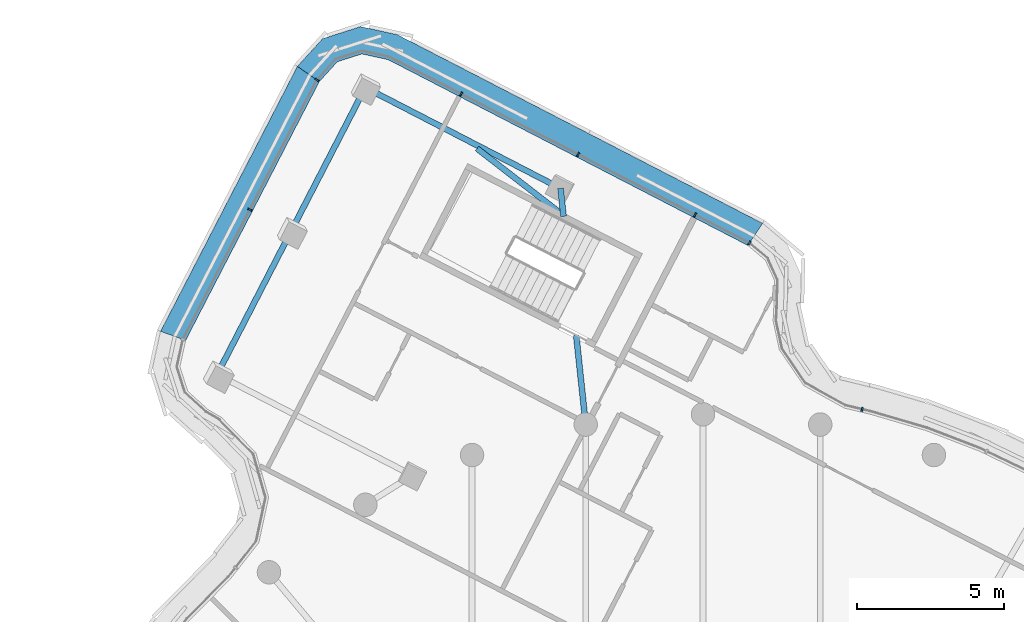
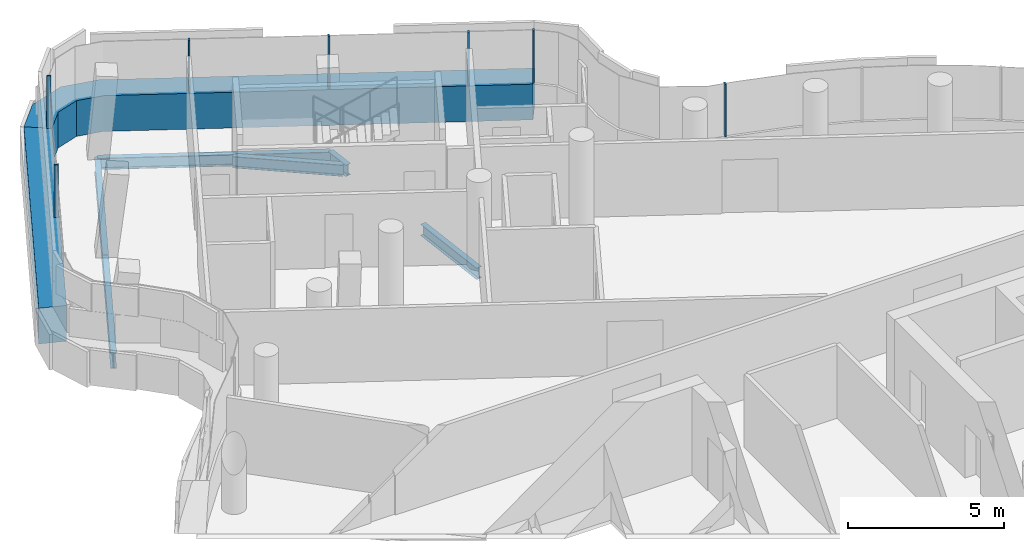
# One storey, part 10 of 21: 9 members, 6 beams, 3 elements without a shape of their own.
"""IFC4 building model written with IfcOpenShell, lengths in metres."""

from ifc_helpers import new_model, si_unit, direction, frame, origin, origin_2d, place, context, subcontext, project, spatial, polyline, rectangle, i_section, outline, extrude, material, layer, layer_set, material_profile, profile_set, type_object, element, aggregate, save


model = new_model("IFC4")

# Units and contexts
model_context = context("Model", 3, precision=1e-05, world=origin(), true_north=direction((0.0, 1.0)))
body_context = subcontext(model_context, "Body", "Model", "MODEL_VIEW")
ifc_project = project(units=[si_unit("LENGTHUNIT", "METRE"), si_unit("AREAUNIT", "SQUARE_METRE"), si_unit("VOLUMEUNIT", "CUBIC_METRE"), si_unit("PLANEANGLEUNIT", "RADIAN"), si_unit("MASSUNIT", "GRAM", prefix="KILO")], contexts=[model_context])

# Site, building, storey
site_placement = place(None, origin())
site = spatial("IfcSite", under=ifc_project, at=site_placement, CompositionType="ELEMENT")
building_placement = place(site_placement, origin())
building = spatial("IfcBuilding", under=site, at=building_placement, Name="Tamarind Cross Interchange Tower", CompositionType="ELEMENT")
storey_placement = place(building_placement, frame((0.0, 0.0, 260.39990234375)))
storey = spatial("IfcBuildingStorey", under=building, at=storey_placement, Name="L66", CompositionType="ELEMENT", Elevation=260.39990234375)

# Beams
ifc_material_1 = material(Name="Steel Q355B", Category="steel")
ifc_material_profile_1 = material_profile(ifc_material_1, i_section(OverallWidth=0.198974609375, OverallDepth=0.446044921875, WebThickness=0.008056640625, FlangeThickness=0.011962890625, FilletRadius=0.012939453125, at=origin_2d()), Name="HN 446x199x8x12")
ifc_profile_set_1 = profile_set([ifc_material_profile_1], Name="Steel Q355B")
beam_type_1 = type_object("IfcBeamType", Name="Composite beam HN 446x199x8x12 Q355B", PredefinedType="BEAM", material=ifc_profile_set_1)
beam_1_placement = place(storey_placement, frame((-11.502197265625, 34.1298828125, -0.36279296875), z_axis=(0.888526304434, -0.458825681855, 0.0), x_axis=(0.458825681855, 0.888526304434, 0.0)))
element("IfcBeam", 1, at=beam_1_placement, inside=storey, type_object=beam_type_1, Name="Beam N-edgeem4", PredefinedType="BEAM", context=body_context, shape_type="SweptSolid", body=[
    extrude(i_section(OverallWidth=0.198974609375, OverallDepth=0.446044921875, WebThickness=0.008056640625, FlangeThickness=0.011962890625, FilletRadius=0.012939453125, at=origin_2d()), origin(), (0.0, 0.0, 1.0), 7.485595703125),
])
beam_2_placement = place(storey_placement, frame((-4.85107421875, 30.6953125, -0.36279296875), z_axis=(0.105984371758, -0.994367795608, 0.0), x_axis=(0.994367795608, 0.105984371758, 0.0)))
element("IfcBeam", 2, at=beam_2_placement, inside=storey, type_object=beam_type_1, Name="Beam N-linkemt0", PredefinedType="BEAM", context=body_context, shape_type="SweptSolid", body=[
    extrude(i_section(OverallWidth=0.198974609375, OverallDepth=0.446044921875, WebThickness=0.008056640625, FlangeThickness=0.011962890625, FilletRadius=0.012939453125, at=origin_2d()), origin(), (0.0, 0.0, 1.0), 0.958251953125),
])
beam_3_placement = place(storey_placement, frame((-4.318115234375, 25.69287109375, -0.36279296875), z_axis=(0.105972404016, -0.994369071114, 0.0), x_axis=(0.994369071114, 0.105972404016, 0.0)))
element("IfcBeam", 3, at=beam_3_placement, inside=storey, type_object=beam_type_1, Name="Beam N-linkemt1", PredefinedType="BEAM", context=body_context, shape_type="SweptSolid", body=[
    extrude(i_section(OverallWidth=0.198974609375, OverallDepth=0.446044921875, WebThickness=0.008056640625, FlangeThickness=0.011962890625, FilletRadius=0.012939453125, at=origin_2d()), origin(), (0.0, 0.0, 1.0), 3.0595703125),
])
beam_4_placement = place(storey_placement, frame((-4.86181640625, 29.856689453125, -0.36279296875), z_axis=(-0.790495011003, 0.612468478845, 0.0), x_axis=(-0.612468478845, -0.790495011003, 0.0)))
element("IfcBeam", 4, at=beam_4_placement, inside=storey, type_object=beam_type_1, Name="Beam N-tr0s1", PredefinedType="BEAM", context=body_context, shape_type="SweptSolid", body=[
    extrude(i_section(OverallWidth=0.198974609375, OverallDepth=0.446044921875, WebThickness=0.008056640625, FlangeThickness=0.011962890625, FilletRadius=0.012939453125, at=origin_2d()), origin(), (0.0, 0.0, 1.0), 3.584716796875),
])
ifc_material_profile_2 = material_profile(ifc_material_1, i_section(OverallWidth=0.198974609375, OverallDepth=0.595947265625, WebThickness=0.010009765625, FlangeThickness=0.014892578125, FilletRadius=0.012939453125, at=origin_2d()), Name="HN 596x199x10x15")
ifc_profile_set_2 = profile_set([ifc_material_profile_2], Name="Steel Q355B")
beam_type_2 = type_object("IfcBeamType", Name="Composite beam HN 596x199x10x15 Q355B", PredefinedType="BEAM", material=ifc_profile_set_2)
beam_5_placement = place(storey_placement, frame((-11.502197265625, 34.1298828125, -0.43798828125), z_axis=(-0.458805732893, -0.888536605585, 0.0), x_axis=(0.888536605585, -0.458805732893, 0.0)))
element("IfcBeam", 5, at=beam_5_placement, inside=storey, type_object=beam_type_2, Name="Beam N-tip0", PredefinedType="BEAM", context=body_context, shape_type="SweptSolid", body=[
    extrude(i_section(OverallWidth=0.198974609375, OverallDepth=0.595947265625, WebThickness=0.010009765625, FlangeThickness=0.014892578125, FilletRadius=0.012939453125, at=origin_2d()), origin(), (0.0, 0.0, 1.0), 5.5),
])
beam_6_placement = place(storey_placement, frame((-14.025634765625, 29.242919921875, -0.43798828125), z_axis=(-0.458840776897, -0.888518509349, 0.0), x_axis=(0.888518509349, -0.458840776897, 0.0)))
element("IfcBeam", 6, at=beam_6_placement, inside=storey, type_object=beam_type_2, Name="Beam N-tip1", PredefinedType="BEAM", context=body_context, shape_type="SweptSolid", body=[
    extrude(i_section(OverallWidth=0.198974609375, OverallDepth=0.595947265625, WebThickness=0.010009765625, FlangeThickness=0.014892578125, FilletRadius=0.012939453125, at=origin_2d()), origin(), (0.0, 0.0, 1.0), 5.500244140625),
])

# Curtain wall, member
ifc_material_2 = material(Name="Aluminium 6063-T6", Category="aluminium")
ifc_layer = layer(ifc_material_2, 0.139892578125)
ifc_layer_set = layer_set([ifc_layer], Name="Aluminium 6063-T6")
curtain_wall_type = type_object("IfcCurtainWallType", Name="Hotel curtain wall, 4.5 m bays", PredefinedType="NOTDEFINED", material=ifc_layer_set)
curtain_wall_1_placement = place(storey_placement, origin())
curtain_wall_1 = element("IfcCurtainWall", 7, at=curtain_wall_1_placement, inside=storey, type_object=curtain_wall_type, Name="CWS-L66-00", PredefinedType="NOTDEFINED")
ifc_material_3 = material(Name="Aluminium and insulated spandrel panel", Category="aluminium")
member_type_1 = type_object("IfcMemberType", Name="Floor-edge blade transom", PredefinedType="USERDEFINED", material=ifc_material_3)
member_1_placement = place(storey_placement, origin())
member_1 = element("IfcMember", 8, at=member_1_placement, type_object=member_type_1, Name="CWT-L66-00", ObjectType="TRANSOM", PredefinedType="USERDEFINED", context=body_context, shape_type="SweptSolid", body=[
    extrude(outline(polyline([(-13.069091796875, 34.331787109375), (-17.62109375, 25.516845703125), (-18.475341796875, 25.824462890625), (-13.814453125, 34.85009765625), (-13.069091796875, 34.331787109375)])), origin(), (0.0, 0.0, 1.0), 1.400146484375),
])

curtain_wall_2_placement = place(storey_placement, origin())
curtain_wall_2 = element("IfcCurtainWall", 9, at=curtain_wall_2_placement, inside=storey, type_object=curtain_wall_type, Name="CWS-L66-02", PredefinedType="NOTDEFINED")
member_2_placement = place(storey_placement, origin())
member_2 = element("IfcMember", 10, at=member_2_placement, type_object=member_type_1, Name="CWT-L66-02", ObjectType="TRANSOM", PredefinedType="USERDEFINED", context=body_context, shape_type="SweptSolid", body=[
    extrude(outline(polyline([(1.52783203125, 28.751708984375), (-10.725341796875, 35.079345703125), (-11.61962890625, 35.2744140625), (-12.452880859375, 35.0087890625), (-13.069091796875, 34.331787109375), (-13.814453125, 34.85009765625), (-12.9560546875, 35.79296875), (-11.663330078125, 36.205078125), (-10.417724609375, 35.933349609375), (2.030517578125, 29.505126953125), (1.52783203125, 28.751708984375)])), origin(), (0.0, 0.0, 1.0), 1.400146484375),
])

# Member
ifc_material_profile_3 = material_profile(ifc_material_2, rectangle(XDim=0.06005859375, YDim=0.139892578125, at=origin_2d()), Name="Mullion CW2")
ifc_profile_set_3 = profile_set([ifc_material_profile_3], Name="Aluminium 6063-T6")
member_type_2 = type_object("IfcMemberType", Name="Mullion CW2", PredefinedType="MULLION", material=ifc_profile_set_3)
member_3_placement = place(storey_placement, frame((-13.15185546875, 34.389404296875, 1.400146484375), z_axis=(0.0, 0.0, 1.0), x_axis=(-0.570885536254, -0.821029661155, 0.0)))
member_3 = element("IfcMember", 11, at=member_3_placement, type_object=member_type_2, Name="CWM-L66-00-00", PredefinedType="MULLION", context=body_context, shape_type="SweptSolid", body=[
    extrude(rectangle(XDim=0.06005859375, YDim=0.139892578125, at=origin_2d()), origin(), (0.0, 0.0, 1.0), 2.06005859375),
])

member_4_placement = place(storey_placement, frame((-15.43408203125, 29.97021484375, 1.400146484375), z_axis=(0.0, 0.0, 1.0), x_axis=(-0.458835655982, -0.888521153828, 0.0)))
member_4 = element("IfcMember", 12, at=member_4_placement, type_object=member_type_2, Name="CWM-L66-00-01", PredefinedType="MULLION", context=body_context, shape_type="SweptSolid", body=[
    extrude(rectangle(XDim=0.06005859375, YDim=0.139892578125, at=origin_2d()), origin(), (0.0, 0.0, 1.0), 2.06005859375),
])

aggregate(curtain_wall_1, [member_3, member_4, member_1])

# Curtain wall, member
curtain_wall_3_placement = place(storey_placement, origin())
curtain_wall_3 = element("IfcCurtainWall", 13, at=curtain_wall_3_placement, inside=storey, type_object=curtain_wall_type, Name="CWS-L66-01", PredefinedType="NOTDEFINED")
member_5_placement = place(storey_placement, frame((5.41943359375, 23.17041015625, 1.400146484375), z_axis=(0.0, 0.0, 1.0), x_axis=(-0.972273709169, 0.233845749286, 0.0)))
member_5 = element("IfcMember", 14, at=member_5_placement, type_object=member_type_2, Name="CWM-L66-01-30", PredefinedType="MULLION", context=body_context, shape_type="SweptSolid", body=[
    extrude(rectangle(XDim=0.06005859375, YDim=0.139892578125, at=origin_2d()), origin(), (0.0, 0.0, 1.0), 2.06005859375),
])
aggregate(curtain_wall_3, [member_5])

# Member
member_6_placement = place(storey_placement, frame((1.583740234375, 28.83544921875, 1.400146484375), z_axis=(0.0, 0.0, 1.0), x_axis=(-0.831824769005, 0.555038335315, 0.0)))
member_6 = element("IfcMember", 15, at=member_6_placement, type_object=member_type_2, Name="CWM-L66-02-00", PredefinedType="MULLION", context=body_context, shape_type="SweptSolid", body=[
    extrude(rectangle(XDim=0.06005859375, YDim=0.139892578125, at=origin_2d()), origin(), (0.0, 0.0, 1.0), 2.06005859375),
])

member_7_placement = place(storey_placement, frame((-0.269775390625, 29.79248046875, 1.400146484375), z_axis=(0.0, 0.0, 1.0), x_axis=(-0.888521153828, 0.458835655982, 0.0)))
member_7 = element("IfcMember", 16, at=member_7_placement, type_object=member_type_2, Name="CWM-L66-02-01", PredefinedType="MULLION", context=body_context, shape_type="SweptSolid", body=[
    extrude(rectangle(XDim=0.06005859375, YDim=0.139892578125, at=origin_2d()), origin(), (0.0, 0.0, 1.0), 2.06005859375),
])

member_8_placement = place(storey_placement, frame((-4.25390625, 31.849853515625, 1.400146484375), z_axis=(0.0, 0.0, 1.0), x_axis=(-0.888521153828, 0.458835655982, 0.0)))
member_8 = element("IfcMember", 17, at=member_8_placement, type_object=member_type_2, Name="CWM-L66-02-02", PredefinedType="MULLION", context=body_context, shape_type="SweptSolid", body=[
    extrude(rectangle(XDim=0.06005859375, YDim=0.139892578125, at=origin_2d()), origin(), (0.0, 0.0, 1.0), 2.06005859375),
])

member_9_placement = place(storey_placement, frame((-8.23828125, 33.907470703125, 1.400146484375), z_axis=(0.0, 0.0, 1.0), x_axis=(-0.888521153828, 0.458835655982, 0.0)))
member_9 = element("IfcMember", 18, at=member_9_placement, type_object=member_type_2, Name="CWM-L66-02-03", PredefinedType="MULLION", context=body_context, shape_type="SweptSolid", body=[
    extrude(rectangle(XDim=0.06005859375, YDim=0.139892578125, at=origin_2d()), origin(), (0.0, 0.0, 1.0), 2.06005859375),
])

aggregate(curtain_wall_2, [member_6, member_7, member_8, member_9, member_2])

save(model, "model.ifc")
